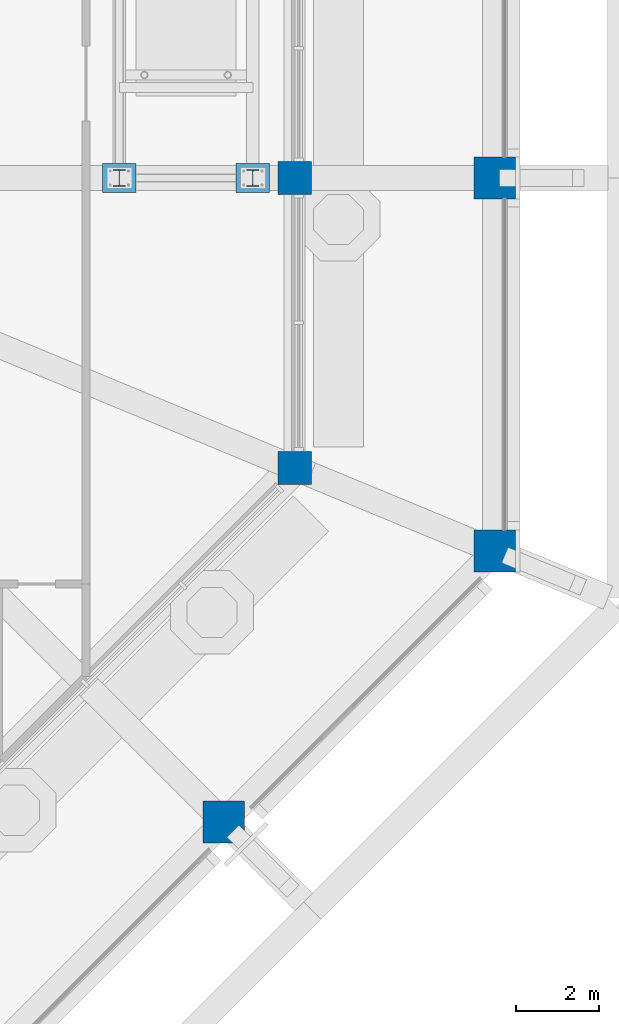
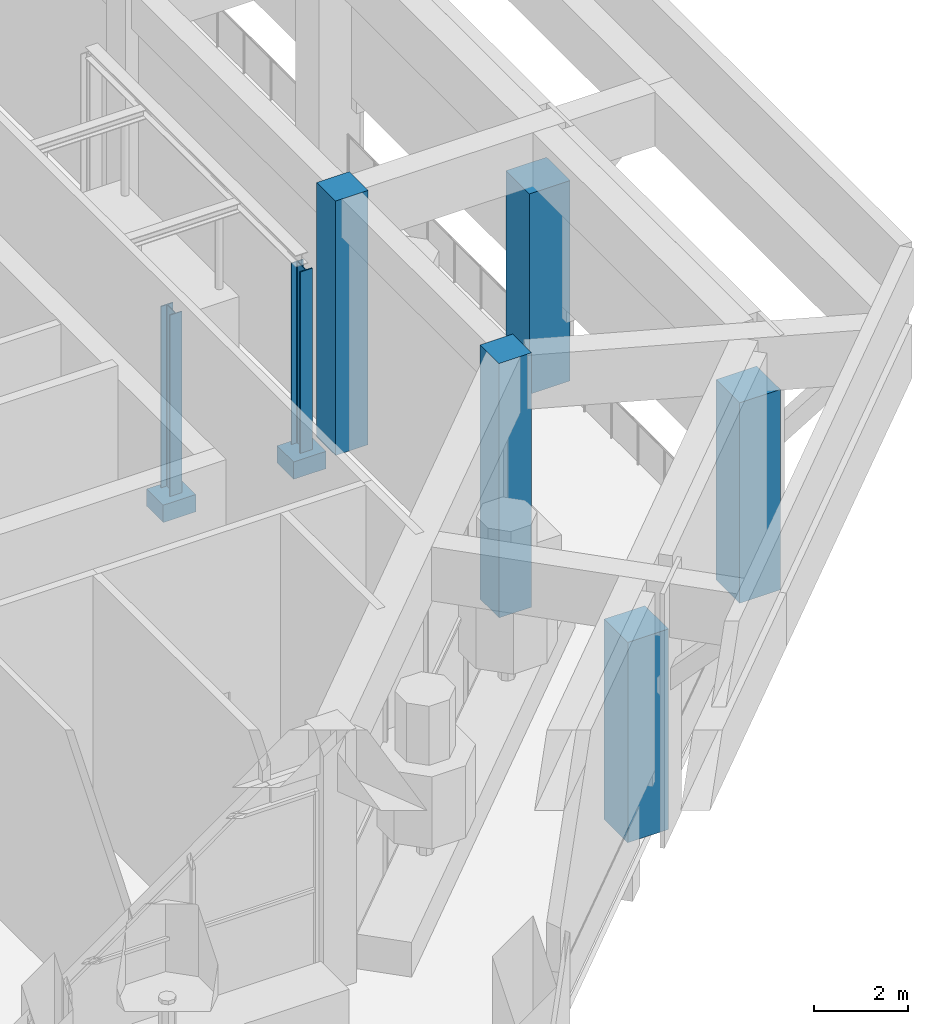
# One storey, part 2 of 29: 9 columns.
"""IFC4 building model written with IfcOpenShell, lengths in metres."""

from ifc_helpers import new_model, si_unit, direction, frame, origin, origin_2d, place, context, subcontext, project, spatial, rectangle, i_section, extrude, material, material_profile, profile_set, type_object, element, save


model = new_model("IFC4")

# Units and contexts
model_context = context("Model", 3, precision=1e-05, world=origin(), true_north=direction((0.0, 1.0)))
body_context = subcontext(model_context, "Body", "Model", "MODEL_VIEW")
ifc_project = project(units=[si_unit("LENGTHUNIT", "METRE"), si_unit("AREAUNIT", "SQUARE_METRE"), si_unit("VOLUMEUNIT", "CUBIC_METRE"), si_unit("PLANEANGLEUNIT", "RADIAN"), si_unit("MASSUNIT", "GRAM", prefix="KILO")], contexts=[model_context])

# Site, building, storey
site_placement = place(None, origin())
site = spatial("IfcSite", under=ifc_project, at=site_placement, CompositionType="ELEMENT")
building_placement = place(site_placement, origin())
building = spatial("IfcBuilding", under=site, at=building_placement, Name="Msitu Wima Residences", CompositionType="ELEMENT")
storey_placement = place(building_placement, frame((0.0, 0.0, 320.10009765625)))
storey = spatial("IfcBuildingStorey", under=building, at=storey_placement, Name="L74", CompositionType="ELEMENT", Elevation=320.10009765625)

# Columns
ifc_material_1 = material(Name="Concrete C60/75", Category="concrete")
ifc_material_profile_1 = material_profile(ifc_material_1, rectangle(XDim=1.0, YDim=1.0, at=origin_2d()), Name="RC 1000x1000")
ifc_profile_set_1 = profile_set([ifc_material_profile_1], Name="Concrete C60/75")
column_type_1 = type_object("IfcColumnType", Name="Canopy pier CP1000", PredefinedType="COLUMN", material=ifc_profile_set_1)
for number, where, z_axis, x_axis, name in (
    (1, (26.39990234375, -13.406005859375, 0.0), (0.0, 0.0, 1.0), (1.0, 0.0, 0.0), "Canopy pier C-E0"),
    (2, (26.39990234375, -4.46875, 0.0), (0.0, 0.0, 1.0), (1.0, 0.0, 0.0), "Canopy pier C-E1"),
    (3, (19.90283203125, -19.90283203125, 0.0), (0.0, 0.0, 1.0), (1.0, 0.0, 0.0), "Canopy pier C-SE1"),
):
    element("IfcColumn", number, at=place(storey_placement, frame(where, z_axis=z_axis, x_axis=x_axis)), inside=storey, type_object=column_type_1, Name=name, PredefinedType="COLUMN", context=body_context, shape_type="SweptSolid", body=[
        extrude(rectangle(XDim=1.0, YDim=1.0, at=origin_2d()), origin(), (0.0, 0.0, 1.0), 5.199951171875),
    ])
ifc_material_profile_2 = material_profile(ifc_material_1, rectangle(XDim=0.800048828125, YDim=0.800048828125, at=origin_2d()), Name="RC 800x800")
ifc_profile_set_2 = profile_set([ifc_material_profile_2], Name="Concrete C60/75")
column_type_2 = type_object("IfcColumnType", Name="Chamber column CC800", PredefinedType="COLUMN", material=ifc_profile_set_2)
for number, where, z_axis, x_axis, name in (
    (4, (21.60009765625, -11.417724609375, 0.0), (0.0, 0.0, 1.0), (1.0, 0.0, 0.0), "Chamber column CH0"),
    (5, (21.60009765625, -4.46875, 0.0), (0.0, 0.0, 1.0), (1.0, 0.0, 0.0), "Chamber column CH1"),
):
    element("IfcColumn", number, at=place(storey_placement, frame(where, z_axis=z_axis, x_axis=x_axis)), inside=storey, type_object=column_type_2, Name=name, PredefinedType="COLUMN", context=body_context, shape_type="SweptSolid", body=[
        extrude(rectangle(XDim=0.800048828125, YDim=0.800048828125, at=origin_2d()), origin(), (0.0, 0.0, 1.0), 6.599853515625),
    ])
ifc_material_2 = material(Name="Steel S355", Category="steel")
ifc_material_profile_3 = material_profile(ifc_material_2, i_section(OverallWidth=0.300048828125, OverallDepth=0.39990234375, WebThickness=0.013427734375, FlangeThickness=0.02392578125, FilletRadius=0.027099609375, at=origin_2d()), Name="HEB 400")
ifc_profile_set_3 = profile_set([ifc_material_profile_3], Name="Steel S355")
column_type_3 = type_object("IfcColumnType", Name="Damper frame HEB 400", PredefinedType="COLUMN", material=ifc_profile_set_3)
for number, where, z_axis, x_axis, name in (
    (6, (17.39990234375, -4.46875, 0.19482421875), (0.0, 0.0, 1.0), (1.0, 0.0, 0.0), "Damper frame column E1"),
    (7, (20.60009765625, -4.46875, 0.19482421875), (0.0, 0.0, 1.0), (1.0, 0.0, 0.0), "Damper frame column E3"),
):
    element("IfcColumn", number, at=place(storey_placement, frame(where, z_axis=z_axis, x_axis=x_axis)), inside=storey, type_object=column_type_3, Name=name, PredefinedType="COLUMN", context=body_context, shape_type="SweptSolid", body=[
        extrude(i_section(OverallWidth=0.300048828125, OverallDepth=0.39990234375, WebThickness=0.013427734375, FlangeThickness=0.02392578125, FilletRadius=0.027099609375, at=origin_2d()), origin(), (0.0, 0.0, 1.0), 4.705078125),
    ])
ifc_material_profile_4 = material_profile(ifc_material_1, rectangle(XDim=0.800048828125, YDim=0.699951171875, at=origin_2d()), Name="RC 800x700")
ifc_profile_set_4 = profile_set([ifc_material_profile_4], Name="Concrete C60/75")
column_type_4 = type_object("IfcColumnType", Name="Damper pedestal DP800x700", PredefinedType="COLUMN", material=ifc_profile_set_4)
for number, where, z_axis, x_axis, name in (
    (8, (17.39990234375, -4.46875, -0.300048828125), (0.0, 0.0, 1.0), (1.0, 0.0, 0.0), "Damper frame pedestal E1"),
    (9, (20.60009765625, -4.46875, -0.300048828125), (0.0, 0.0, 1.0), (1.0, 0.0, 0.0), "Damper frame pedestal E3"),
):
    element("IfcColumn", number, at=place(storey_placement, frame(where, z_axis=z_axis, x_axis=x_axis)), inside=storey, type_object=column_type_4, Name=name, PredefinedType="COLUMN", context=body_context, shape_type="SweptSolid", body=[
        extrude(rectangle(XDim=0.800048828125, YDim=0.699951171875, at=origin_2d()), origin(), (0.0, 0.0, 1.0), 0.449951171875),
    ])

save(model, "model.ifc")
